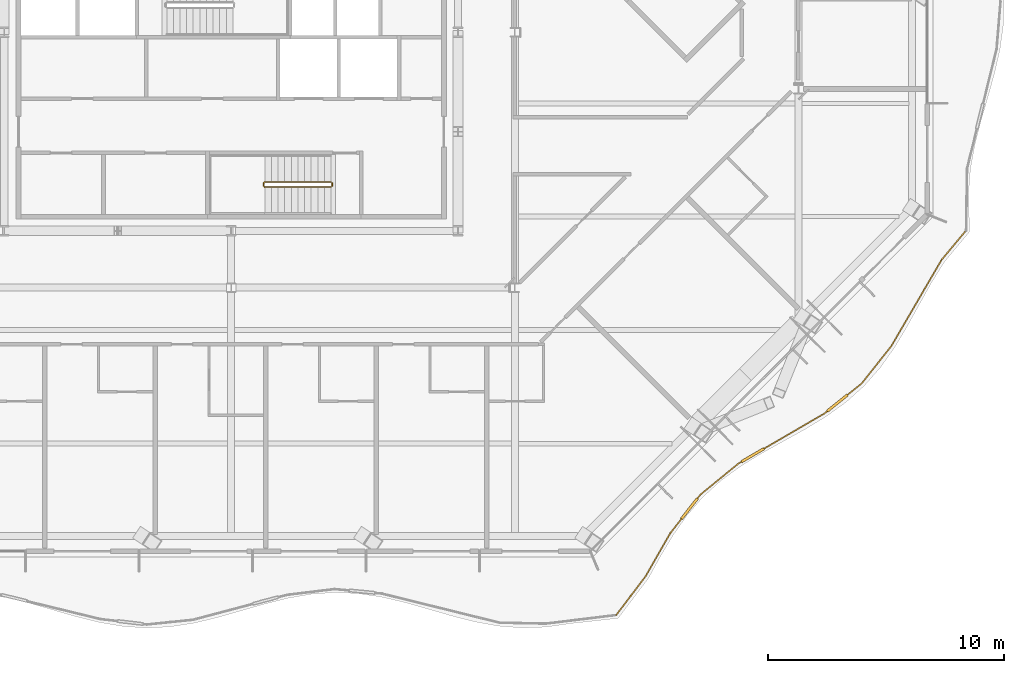
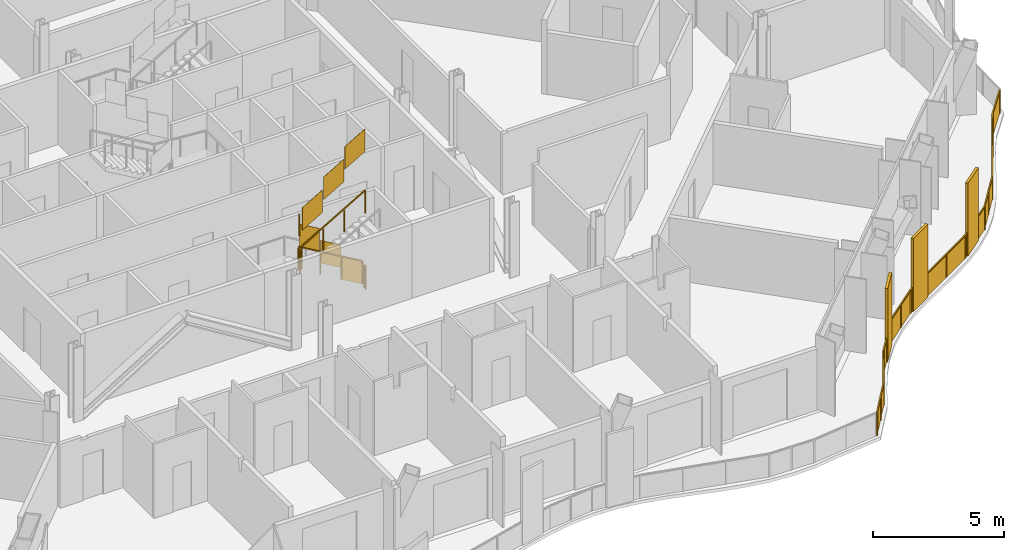
# One storey, part 17 of 21: 3 railings.
"""IFC4 building model written with IfcOpenShell, lengths in metres."""

from ifc_helpers import new_model, si_unit, direction, frame, origin, origin_2d, place, context, subcontext, project, spatial, polyline, rectangle, outline, extrude, material, type_object, element, save


model = new_model("IFC4")

# Units and contexts
model_context = context("Model", 3, precision=1e-05, world=origin(), true_north=direction((0.0, 1.0)))
body_context = subcontext(model_context, "Body", "Model", "MODEL_VIEW")
ifc_project = project(units=[si_unit("LENGTHUNIT", "METRE"), si_unit("AREAUNIT", "SQUARE_METRE"), si_unit("VOLUMEUNIT", "CUBIC_METRE"), si_unit("PLANEANGLEUNIT", "RADIAN"), si_unit("MASSUNIT", "GRAM", prefix="KILO")], contexts=[model_context])

# Site, building, storey
site_placement = place(None, origin())
site = spatial("IfcSite", under=ifc_project, at=site_placement, CompositionType="ELEMENT")
building_placement = place(site_placement, origin())
building = spatial("IfcBuilding", under=site, at=building_placement, Name="Cairn Pilgrim Tower", CompositionType="ELEMENT")
storey_placement = place(building_placement, frame((0.0, 0.0, 179.39990234375)))
storey = spatial("IfcBuildingStorey", under=building, at=storey_placement, Name="L45", CompositionType="ELEMENT", Elevation=179.39990234375)

# Railings
ifc_material_1 = material(Name="Bronze anodised aluminium rail, posts and fin screens with laminated glass infill", Category="aluminium")
railing_type_1 = type_object("IfcRailingType", Name="BALCONY GUARD WITH FIN SCREENS", PredefinedType="GUARDRAIL", material=ifc_material_1)
railing_1_placement = place(storey_placement, frame((23.491943359375, -22.249267578125, 0.0)))
element("IfcRailing", 1, at=railing_1_placement, inside=storey, type_object=railing_type_1, Name="Balcony guard BGF-2 with fin screens", PredefinedType="GUARDRAIL", context=body_context, shape_type="SweptSolid", body=[
    extrude(rectangle(XDim=0.050048828125, YDim=0.050048828125, at=origin_2d()), frame((0.0, 0.0, 1.0751953125), z_axis=(0.604323545132, 0.796739011722, 0.0), x_axis=(-0.796739011722, 0.604323545132, 0.0)), (0.0, 0.0, 1.0), 2.037841796875),
    extrude(rectangle(XDim=0.050048828125, YDim=0.050048828125, at=origin_2d()), frame((1.2314453125, 1.62353515625, 1.0751953125), z_axis=(0.497284306308, 0.867587643238, 0.0), x_axis=(-0.867587643238, 0.497284306308, 0.0)), (0.0, 0.0, 1.0), 2.111083984375),
    extrude(rectangle(XDim=1.10009765625, YDim=0.110107421875, at=origin_2d()), frame((3.09814453125, 4.500732421875, 0.0), z_axis=(0.0, 0.0, 1.0), x_axis=(0.615589357556, 0.78806709287, 0.0)), (0.0, 0.0, 1.0), 3.39990234375),
    extrude(rectangle(XDim=0.050048828125, YDim=0.050048828125, at=origin_2d()), frame((2.28125, 3.455078125, 1.0751953125), z_axis=(0.615589357556, 0.78806709287, 0.0), x_axis=(-0.78806709287, 0.615589357556, 0.0)), (0.0, 0.0, 1.0), 0.777099609375),
    extrude(rectangle(XDim=0.050048828125, YDim=0.050048828125, at=origin_2d()), frame((3.436767578125, 4.934326171875, 1.0751953125), z_axis=(0.615589357556, 0.78806709287, 0.0), x_axis=(-0.78806709287, 0.615589357556, 0.0)), (0.0, 0.0, 1.0), 0.202392578125),
    extrude(rectangle(XDim=0.050048828125, YDim=0.050048828125, at=origin_2d()), frame((3.561279296875, 5.09375, 1.0751953125), z_axis=(0.774109284581, 0.633051984853, 0.0), x_axis=(-0.633051984853, 0.774109284581, 0.0)), (0.0, 0.0, 1.0), 2.0751953125),
    extrude(rectangle(XDim=1.10009765625, YDim=0.110107421875, at=origin_2d()), frame((5.772705078125, 6.759765625, 0.0), z_axis=(0.0, 0.0, 1.0), x_axis=(0.864228325097, 0.503099793381, 0.0)), (0.0, 0.0, 1.0), 3.39990234375),
    extrude(rectangle(XDim=0.050048828125, YDim=0.050048828125, at=origin_2d()), frame((5.167724609375, 6.407470703125, 1.0751953125), z_axis=(0.864228325097, 0.503099793381, 0.0), x_axis=(-0.503099793381, 0.864228325097, 0.0)), (0.0, 0.0, 1.0), 0.150146484375),
    extrude(rectangle(XDim=0.050048828125, YDim=0.050048828125, at=origin_2d()), frame((6.248046875, 7.036376953125, 1.0751953125), z_axis=(0.864228325097, 0.503099793381, 0.0), x_axis=(-0.503099793381, 0.864228325097, 0.0)), (0.0, 0.0, 1.0), 2.963134765625),
    extrude(rectangle(XDim=1.10009765625, YDim=0.110107421875, at=origin_2d()), frame((9.35400390625, 8.96630859375, 0.0), z_axis=(0.0, 0.0, 1.0), x_axis=(0.778753909083, 0.627329537873, 0.0)), (0.0, 0.0, 1.0), 3.39990234375),
    extrude(rectangle(XDim=0.050048828125, YDim=0.050048828125, at=origin_2d()), frame((8.808837890625, 8.527099609375, 1.0751953125), z_axis=(0.778753909083, 0.627329537873, 0.0), x_axis=(-0.627329537873, 0.778753909083, 0.0)), (0.0, 0.0, 1.0), 0.150146484375),
    extrude(rectangle(XDim=0.050048828125, YDim=0.050048828125, at=origin_2d()), frame((9.7822265625, 9.311279296875, 1.0751953125), z_axis=(0.778753909083, 0.627329537873, 0.0), x_axis=(-0.627329537873, 0.778753909083, 0.0)), (0.0, 0.0, 1.0), 0.77001953125),
    extrude(rectangle(XDim=0.050048828125, YDim=0.050048828125, at=origin_2d()), frame((10.382080078125, 9.79443359375, 1.0751953125), z_axis=(0.621392155918, 0.783499705529, 0.0), x_axis=(-0.783499705529, 0.621392155918, 0.0)), (0.0, 0.0, 1.0), 2.022705078125),
    extrude(rectangle(XDim=0.050048828125, YDim=0.050048828125, at=origin_2d()), frame((11.638916015625, 11.379150390625, 1.0751953125), z_axis=(0.503290950518, 0.864117017034, 0.0), x_axis=(-0.864117017034, 0.503290950518, 0.0)), (0.0, 0.0, 1.0), 4.2138671875),
    extrude(rectangle(XDim=0.050048828125, YDim=0.050048828125, at=origin_2d()), frame((13.759765625, 15.0205078125, 1.0751953125), z_axis=(0.640399515235, 0.768041965576, 0.0), x_axis=(-0.768041965576, 0.640399515235, 0.0)), (0.0, 0.0, 1.0), 1.562744140625),
    extrude(rectangle(XDim=0.050048828125, YDim=0.050048828125, at=origin_2d()), origin(), (0.0, 0.0, 1.0), 1.050048828125),
    extrude(rectangle(XDim=0.050048828125, YDim=0.050048828125, at=origin_2d()), frame((0.61572265625, 0.811767578125, 0.0)), (0.0, 0.0, 1.0), 1.050048828125),
    extrude(rectangle(XDim=0.050048828125, YDim=0.050048828125, at=origin_2d()), frame((1.2314453125, 1.62353515625, 0.0)), (0.0, 0.0, 1.0), 1.050048828125),
    extrude(rectangle(XDim=0.050048828125, YDim=0.050048828125, at=origin_2d()), frame((1.75634765625, 2.539306640625, 0.0)), (0.0, 0.0, 1.0), 1.050048828125),
    extrude(rectangle(XDim=0.050048828125, YDim=0.050048828125, at=origin_2d()), frame((2.28125, 3.455078125, 0.0)), (0.0, 0.0, 1.0), 1.050048828125),
    extrude(rectangle(XDim=0.050048828125, YDim=0.050048828125, at=origin_2d()), frame((2.744140625, 4.047607421875, 0.0)), (0.0, 0.0, 1.0), 1.050048828125),
    extrude(rectangle(XDim=0.050048828125, YDim=0.050048828125, at=origin_2d()), frame((3.4521484375, 4.9541015625, 0.0)), (0.0, 0.0, 1.0), 1.050048828125),
    extrude(rectangle(XDim=0.050048828125, YDim=0.050048828125, at=origin_2d()), frame((3.561279296875, 5.09375, 0.0)), (0.0, 0.0, 1.0), 1.050048828125),
    extrude(rectangle(XDim=0.050048828125, YDim=0.050048828125, at=origin_2d()), frame((4.364501953125, 5.75048828125, 0.0)), (0.0, 0.0, 1.0), 1.050048828125),
    extrude(rectangle(XDim=0.050048828125, YDim=0.050048828125, at=origin_2d()), frame((5.167724609375, 6.407470703125, 0.0)), (0.0, 0.0, 1.0), 1.050048828125),
    extrude(rectangle(XDim=0.050048828125, YDim=0.050048828125, at=origin_2d()), frame((5.275634765625, 6.470458984375, 0.0)), (0.0, 0.0, 1.0), 1.050048828125),
    extrude(rectangle(XDim=0.050048828125, YDim=0.050048828125, at=origin_2d()), frame((6.269775390625, 7.048828125, 0.0)), (0.0, 0.0, 1.0), 1.050048828125),
    extrude(rectangle(XDim=0.050048828125, YDim=0.050048828125, at=origin_2d()), frame((7.539306640625, 7.7880859375, 0.0)), (0.0, 0.0, 1.0), 1.050048828125),
    extrude(rectangle(XDim=0.050048828125, YDim=0.050048828125, at=origin_2d()), frame((8.808837890625, 8.527099609375, 0.0)), (0.0, 0.0, 1.0), 1.050048828125),
    extrude(rectangle(XDim=0.050048828125, YDim=0.050048828125, at=origin_2d()), frame((8.90625, 8.60546875, 0.0)), (0.0, 0.0, 1.0), 1.050048828125),
    extrude(rectangle(XDim=0.050048828125, YDim=0.050048828125, at=origin_2d()), frame((9.8017578125, 9.326904296875, 0.0)), (0.0, 0.0, 1.0), 1.050048828125),
    extrude(rectangle(XDim=0.050048828125, YDim=0.050048828125, at=origin_2d()), frame((10.382080078125, 9.79443359375, 0.0)), (0.0, 0.0, 1.0), 1.050048828125),
    extrude(rectangle(XDim=0.050048828125, YDim=0.050048828125, at=origin_2d()), frame((11.010498046875, 10.5869140625, 0.0)), (0.0, 0.0, 1.0), 1.050048828125),
    extrude(rectangle(XDim=0.050048828125, YDim=0.050048828125, at=origin_2d()), frame((11.638916015625, 11.379150390625, 0.0)), (0.0, 0.0, 1.0), 1.050048828125),
    extrude(rectangle(XDim=0.050048828125, YDim=0.050048828125, at=origin_2d()), frame((12.345947265625, 12.593017578125, 0.0)), (0.0, 0.0, 1.0), 1.050048828125),
    extrude(rectangle(XDim=0.050048828125, YDim=0.050048828125, at=origin_2d()), frame((13.052734375, 13.806640625, 0.0)), (0.0, 0.0, 1.0), 1.050048828125),
    extrude(rectangle(XDim=0.050048828125, YDim=0.050048828125, at=origin_2d()), frame((13.759765625, 15.0205078125, 0.0)), (0.0, 0.0, 1.0), 1.050048828125),
    extrude(rectangle(XDim=0.050048828125, YDim=0.050048828125, at=origin_2d()), frame((14.760498046875, 16.220703125, 0.0)), (0.0, 0.0, 1.0), 1.050048828125),
    extrude(outline(polyline([(0.02490234375, 0.0), (0.993896484375, 0.0), (0.993896484375, 1.050048828125), (0.02490234375, 1.050048828125), (0.02490234375, 0.0)])), frame((-0.0048828125, 0.003662109375, 0.0), z_axis=(0.796739011722, -0.604323545132, 0.0), x_axis=(0.604323545132, 0.796739011722, 0.0)), (0.0, 0.0, 1.0), 0.011962890625),
    extrude(outline(polyline([(0.02490234375, 0.0), (0.993896484375, 0.0), (0.993896484375, 1.050048828125), (0.02490234375, 1.050048828125), (0.02490234375, 0.0)])), frame((0.61083984375, 0.8154296875, 0.0), z_axis=(0.796739011722, -0.604323545132, 0.0), x_axis=(0.604323545132, 0.796739011722, 0.0)), (0.0, 0.0, 1.0), 0.011962890625),
    extrude(outline(polyline([(0.02490234375, 0.0), (1.030517578125, 0.0), (1.030517578125, 1.050048828125), (0.02490234375, 1.050048828125), (0.02490234375, 0.0)])), frame((1.226318359375, 1.62646484375, 0.0), z_axis=(0.867587643238, -0.497284306308, 0.0), x_axis=(0.497284306308, 0.867587643238, 0.0)), (0.0, 0.0, 1.0), 0.011962890625),
    extrude(outline(polyline([(0.02490234375, 0.0), (1.030517578125, 0.0), (1.030517578125, 1.050048828125), (0.02490234375, 1.050048828125), (0.02490234375, 0.0)])), frame((1.751220703125, 2.542236328125, 0.0), z_axis=(0.867587643238, -0.497284306308, 0.0), x_axis=(0.497284306308, 0.867587643238, 0.0)), (0.0, 0.0, 1.0), 0.011962890625),
    extrude(outline(polyline([(0.02490234375, 0.0), (0.72705078125, 0.0), (0.72705078125, 1.050048828125), (0.02490234375, 1.050048828125), (0.02490234375, 0.0)])), frame((2.276611328125, 3.458740234375, 0.0), z_axis=(0.78806709287, -0.615589357556, 0.0), x_axis=(0.615589357556, 0.78806709287, 0.0)), (0.0, 0.0, 1.0), 0.011962890625),
    extrude(outline(polyline([(0.02490234375, 0.0), (0.15234375, 0.0), (0.15234375, 1.050048828125), (0.02490234375, 1.050048828125), (0.02490234375, 0.0)])), frame((3.447509765625, 4.957763671875, 0.0), z_axis=(0.78806709287, -0.615589357556, 0.0), x_axis=(0.615589357556, 0.78806709287, 0.0)), (0.0, 0.0, 1.0), 0.011962890625),
    extrude(outline(polyline([(0.02490234375, 0.0), (1.0126953125, 0.0), (1.0126953125, 1.050048828125), (0.02490234375, 1.050048828125), (0.02490234375, 0.0)])), frame((3.557373046875, 5.098388671875, 0.0), z_axis=(0.633051984853, -0.774109284581, 0.0), x_axis=(0.774109284581, 0.633051984853, 0.0)), (0.0, 0.0, 1.0), 0.011962890625),
    extrude(outline(polyline([(0.02490234375, 0.0), (1.0126953125, 0.0), (1.0126953125, 1.050048828125), (0.02490234375, 1.050048828125), (0.02490234375, 0.0)])), frame((4.360595703125, 5.755126953125, 0.0), z_axis=(0.633051984853, -0.774109284581, 0.0), x_axis=(0.774109284581, 0.633051984853, 0.0)), (0.0, 0.0, 1.0), 0.011962890625),
    extrude(outline(polyline([(0.02490234375, 0.0), (0.10009765625, 0.0), (0.10009765625, 1.050048828125), (0.02490234375, 1.050048828125), (0.02490234375, 0.0)])), frame((5.164794921875, 6.41259765625, 0.0), z_axis=(0.503099793381, -0.864228325097, 0.0), x_axis=(0.864228325097, 0.503099793381, 0.0)), (0.0, 0.0, 1.0), 0.011962890625),
    extrude(outline(polyline([(0.02490234375, 0.0), (1.444091796875, 0.0), (1.444091796875, 1.050048828125), (0.02490234375, 1.050048828125), (0.02490234375, 0.0)])), frame((6.2666015625, 7.05419921875, 0.0), z_axis=(0.503099793381, -0.864228325097, 0.0), x_axis=(0.864228325097, 0.503099793381, 0.0)), (0.0, 0.0, 1.0), 0.011962890625),
    extrude(outline(polyline([(0.02490234375, 0.0), (1.444091796875, 0.0), (1.444091796875, 1.050048828125), (0.02490234375, 1.050048828125), (0.02490234375, 0.0)])), frame((7.5361328125, 7.793212890625, 0.0), z_axis=(0.503099793381, -0.864228325097, 0.0), x_axis=(0.864228325097, 0.503099793381, 0.0)), (0.0, 0.0, 1.0), 0.011962890625),
    extrude(outline(polyline([(0.02490234375, 0.0), (0.10009765625, 0.0), (0.10009765625, 1.050048828125), (0.02490234375, 1.050048828125), (0.02490234375, 0.0)])), frame((8.80517578125, 8.53173828125, 0.0), z_axis=(0.627329537873, -0.778753909083, 0.0), x_axis=(0.778753909083, 0.627329537873, 0.0)), (0.0, 0.0, 1.0), 0.011962890625),
    extrude(outline(polyline([(0.02490234375, 0.0), (0.719970703125, 0.0), (0.719970703125, 1.050048828125), (0.02490234375, 1.050048828125), (0.02490234375, 0.0)])), frame((9.798095703125, 9.331787109375, 0.0), z_axis=(0.627329537873, -0.778753909083, 0.0), x_axis=(0.778753909083, 0.627329537873, 0.0)), (0.0, 0.0, 1.0), 0.011962890625),
    extrude(outline(polyline([(0.02490234375, 0.0), (0.986328125, 0.0), (0.986328125, 1.050048828125), (0.02490234375, 1.050048828125), (0.02490234375, 0.0)])), frame((10.37744140625, 9.798095703125, 0.0), z_axis=(0.783499705529, -0.621392155918, 0.0), x_axis=(0.621392155918, 0.783499705529, 0.0)), (0.0, 0.0, 1.0), 0.011962890625),
    extrude(outline(polyline([(0.02490234375, 0.0), (0.986328125, 0.0), (0.986328125, 1.050048828125), (0.02490234375, 1.050048828125), (0.02490234375, 0.0)])), frame((11.005859375, 10.590576171875, 0.0), z_axis=(0.783499705529, -0.621392155918, 0.0), x_axis=(0.621392155918, 0.783499705529, 0.0)), (0.0, 0.0, 1.0), 0.011962890625),
    extrude(outline(polyline([(0.02490234375, 0.0), (1.379638671875, 0.0), (1.379638671875, 1.050048828125), (0.02490234375, 1.050048828125), (0.02490234375, 0.0)])), frame((11.6337890625, 11.382080078125, 0.0), z_axis=(0.864117017034, -0.503290950518, 0.0), x_axis=(0.503290950518, 0.864117017034, 0.0)), (0.0, 0.0, 1.0), 0.011962890625),
    extrude(outline(polyline([(0.02490234375, 0.0), (1.379638671875, 0.0), (1.379638671875, 1.050048828125), (0.02490234375, 1.050048828125), (0.02490234375, 0.0)])), frame((12.340576171875, 12.595947265625, 0.0), z_axis=(0.864117017034, -0.503290950518, 0.0), x_axis=(0.503290950518, 0.864117017034, 0.0)), (0.0, 0.0, 1.0), 0.011962890625),
    extrude(outline(polyline([(0.02490234375, 0.0), (1.379638671875, 0.0), (1.379638671875, 1.050048828125), (0.02490234375, 1.050048828125), (0.02490234375, 0.0)])), frame((13.047607421875, 13.809814453125, 0.0), z_axis=(0.864117017034, -0.503290950518, 0.0), x_axis=(0.503290950518, 0.864117017034, 0.0)), (0.0, 0.0, 1.0), 0.011962890625),
    extrude(outline(polyline([(0.02490234375, 0.0), (1.53759765625, 0.0), (1.53759765625, 1.050048828125), (0.02490234375, 1.050048828125), (0.02490234375, 0.0)])), frame((13.755126953125, 15.0244140625, 0.0), z_axis=(0.768041965576, -0.640399515235, 0.0), x_axis=(0.640399515235, 0.768041965576, 0.0)), (0.0, 0.0, 1.0), 0.011962890625),
])
ifc_material_2 = material(Name="Painted steel", Category="steel")
railing_type_2 = type_object("IfcRailingType", Name="STAIR GUARD 1100", PredefinedType="GUARDRAIL", material=ifc_material_2)
railing_2_placement = place(storey_placement, frame((11.425048828125, -3.925048828125, 0.163818359375)))
element("IfcRailing", 2, at=railing_2_placement, inside=storey, type_object=railing_type_2, Name="L45 ST-A stair guard 1", PredefinedType="GUARDRAIL", context=body_context, shape_type="SweptSolid", body=[
    extrude(rectangle(XDim=0.048095703125, YDim=0.048095703125, at=origin_2d()), frame((0.0, 0.0, 1.076171875), z_axis=(-0.863393664356, 0.0, 0.504530851732), x_axis=(0.0, -1.0, 0.0)), (0.0, 0.0, 1.0), 3.2431640625),
    extrude(rectangle(XDim=0.048095703125, YDim=0.048095703125, at=origin_2d()), frame((-2.800048828125, 0.0, 2.71240234375), z_axis=(-0.707106781187, -0.707106781187, 0.0), x_axis=(0.707106781187, -0.707106781187, 0.0)), (0.0, 0.0, 1.0), 0.07080078125),
    extrude(rectangle(XDim=0.048095703125, YDim=0.048095703125, at=origin_2d()), frame((-2.85009765625, -0.050048828125, 2.71240234375), z_axis=(0.0, -1.0, 0.0), x_axis=(1.0, 0.0, 0.0)), (0.0, 0.0, 1.0), 0.125),
    extrude(rectangle(XDim=0.048095703125, YDim=0.048095703125, at=origin_2d()), frame((-2.85009765625, -0.175048828125, 2.71240234375), z_axis=(0.280916556609, -0.279546231943, 0.91811752648), x_axis=(0.705375805398, 0.708833529934, 0.0)), (0.0, 0.0, 1.0), 0.17822265625),
    extrude(rectangle(XDim=0.048095703125, YDim=0.048095703125, at=origin_2d()), frame((-2.800048828125, -0.224853515625, 2.8759765625), z_axis=(0.863360870873, 0.0, 0.504586966384), x_axis=(0.0, 1.0, 0.0)), (0.0, 0.0, 1.0), 3.2431640625),
    extrude(rectangle(XDim=0.0419921875, YDim=0.0419921875, at=origin_2d()), origin(), (0.0, 0.0, 1.0), 1.052001953125),
    extrude(rectangle(XDim=0.0419921875, YDim=0.0419921875, at=origin_2d()), frame((-0.933349609375, 0.0, 0.54541015625)), (0.0, 0.0, 1.0), 1.052001953125),
    extrude(rectangle(XDim=0.0419921875, YDim=0.0419921875, at=origin_2d()), frame((-1.86669921875, 0.0, 1.0908203125)), (0.0, 0.0, 1.0), 1.052001953125),
    extrude(rectangle(XDim=0.0419921875, YDim=0.0419921875, at=origin_2d()), frame((-2.800048828125, 0.0, 1.63623046875)), (0.0, 0.0, 1.0), 1.052001953125),
    extrude(rectangle(XDim=0.0419921875, YDim=0.0419921875, at=origin_2d()), frame((-2.85009765625, -0.050048828125, 1.63623046875)), (0.0, 0.0, 1.0), 1.052001953125),
    extrude(rectangle(XDim=0.0419921875, YDim=0.0419921875, at=origin_2d()), frame((-2.85009765625, -0.175048828125, 1.63623046875)), (0.0, 0.0, 1.0), 1.052001953125),
    extrude(rectangle(XDim=0.0419921875, YDim=0.0419921875, at=origin_2d()), frame((-2.800048828125, -0.224853515625, 1.7998046875)), (0.0, 0.0, 1.0), 1.052001953125),
    extrude(rectangle(XDim=0.0419921875, YDim=0.0419921875, at=origin_2d()), frame((-1.86669921875, -0.224853515625, 2.34521484375)), (0.0, 0.0, 1.0), 1.052001953125),
    extrude(rectangle(XDim=0.0419921875, YDim=0.0419921875, at=origin_2d()), frame((-0.933349609375, -0.224853515625, 2.890869140625)), (0.0, 0.0, 1.0), 1.052001953125),
    extrude(rectangle(XDim=0.0419921875, YDim=0.0419921875, at=origin_2d()), frame((0.0, -0.224853515625, 3.436279296875)), (0.0, 0.0, 1.0), 1.052001953125),
    extrude(outline(polyline([(0.02099609375, 0.01220703125), (0.912353515625, 0.533203125), (0.912353515625, 1.585205078125), (0.02099609375, 1.064208984375), (0.02099609375, 0.01220703125)])), frame((0.0, -0.005859375, 0.0), z_axis=(0.0, 1.0, 0.0), x_axis=(-1.0, 0.0, 0.0)), (0.0, 0.0, 1.0), 0.011962890625),
    extrude(outline(polyline([(0.02099609375, 0.5576171875), (0.912353515625, 1.07861328125), (0.912353515625, 2.130615234375), (0.02099609375, 1.609619140625), (0.02099609375, 0.5576171875)])), frame((-0.933349609375, -0.005859375, 0.54541015625), z_axis=(0.0, 1.0, 0.0), x_axis=(-1.0, 0.0, 0.0)), (0.0, 0.0, 1.0), 0.011962890625),
    extrude(outline(polyline([(0.02099609375, 1.10302734375), (0.912353515625, 1.6240234375), (0.912353515625, 2.676025390625), (0.02099609375, 2.155029296875), (0.02099609375, 1.10302734375)])), frame((-1.86669921875, -0.005859375, 1.0908203125), z_axis=(0.0, 1.0, 0.0), x_axis=(-1.0, 0.0, 0.0)), (0.0, 0.0, 1.0), 0.011962890625),
    extrude(outline(polyline([(0.02099609375, 1.63623046875), (0.10400390625, 1.63623046875), (0.10400390625, 2.688232421875), (0.02099609375, 2.688232421875), (0.02099609375, 1.63623046875)])), frame((-2.84423828125, -0.050048828125, 1.63623046875), z_axis=(-1.0, 0.0, 0.0), x_axis=(0.0, -1.0, 0.0)), (0.0, 0.0, 1.0), 0.011962890625),
    extrude(outline(polyline([(0.02099609375, 1.81201171875), (0.912353515625, 2.3330078125), (0.912353515625, 3.385009765625), (0.02099609375, 2.864013671875), (0.02099609375, 1.81201171875)])), frame((-2.800048828125, -0.21875, 1.7998046875), z_axis=(0.0, -1.0, 0.0), x_axis=(1.0, 0.0, 0.0)), (0.0, 0.0, 1.0), 0.011962890625),
    extrude(outline(polyline([(0.02099609375, 2.357666015625), (0.912353515625, 2.87841796875), (0.912353515625, 3.930419921875), (0.02099609375, 3.40966796875), (0.02099609375, 2.357666015625)])), frame((-1.86669921875, -0.21875, 2.34521484375), z_axis=(0.0, -1.0, 0.0), x_axis=(1.0, 0.0, 0.0)), (0.0, 0.0, 1.0), 0.011962890625),
    extrude(outline(polyline([(0.02099609375, 2.903076171875), (0.912353515625, 3.424072265625), (0.912353515625, 4.47607421875), (0.02099609375, 3.955078125), (0.02099609375, 2.903076171875)])), frame((-0.933349609375, -0.21875, 2.890869140625), z_axis=(0.0, -1.0, 0.0), x_axis=(1.0, 0.0, 0.0)), (0.0, 0.0, 1.0), 0.011962890625),
])
railing_3_placement = place(storey_placement, frame((11.47509765625, -3.97509765625, 0.0)))
element("IfcRailing", 3, at=railing_3_placement, inside=storey, type_object=railing_type_2, Name="L45 ST-A stair guard 2", PredefinedType="GUARDRAIL", context=body_context, shape_type="SweptSolid", body=[
    extrude(rectangle(XDim=0.048095703125, YDim=0.048095703125, at=origin_2d()), frame((0.0, 0.0, 1.076171875), z_axis=(0.0, -1.0, 0.0), x_axis=(1.0, 0.0, 0.0)), (0.0, 0.0, 1.0), 0.125),
    extrude(rectangle(XDim=0.0419921875, YDim=0.0419921875, at=origin_2d()), origin(), (0.0, 0.0, 1.0), 1.052001953125),
    extrude(rectangle(XDim=0.0419921875, YDim=0.0419921875, at=origin_2d()), frame((0.0, -0.125, 0.0)), (0.0, 0.0, 1.0), 1.052001953125),
    extrude(outline(polyline([(0.02099609375, 0.0), (0.10400390625, 0.0), (0.10400390625, 1.052001953125), (0.02099609375, 1.052001953125), (0.02099609375, 0.0)])), frame((0.005859375, 0.0, 0.0), z_axis=(-1.0, 0.0, 0.0), x_axis=(0.0, -1.0, 0.0)), (0.0, 0.0, 1.0), 0.011962890625),
])

save(model, "model.ifc")
